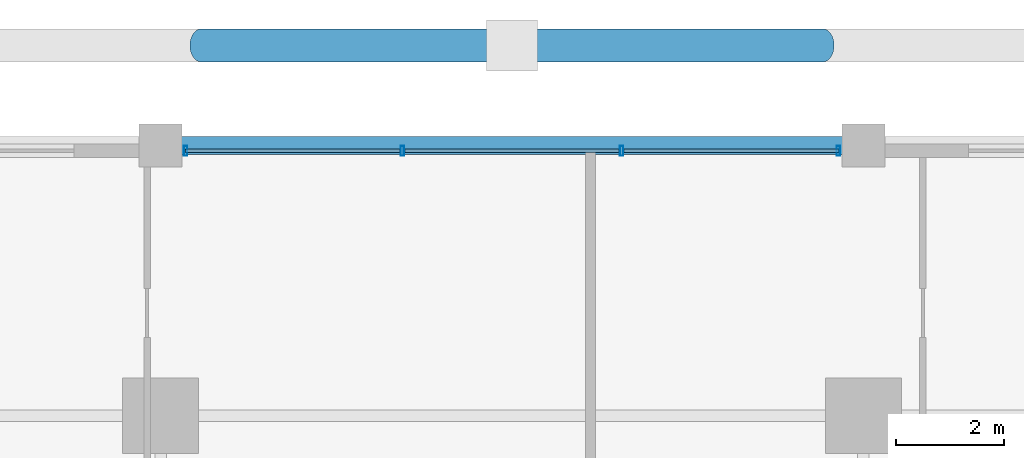
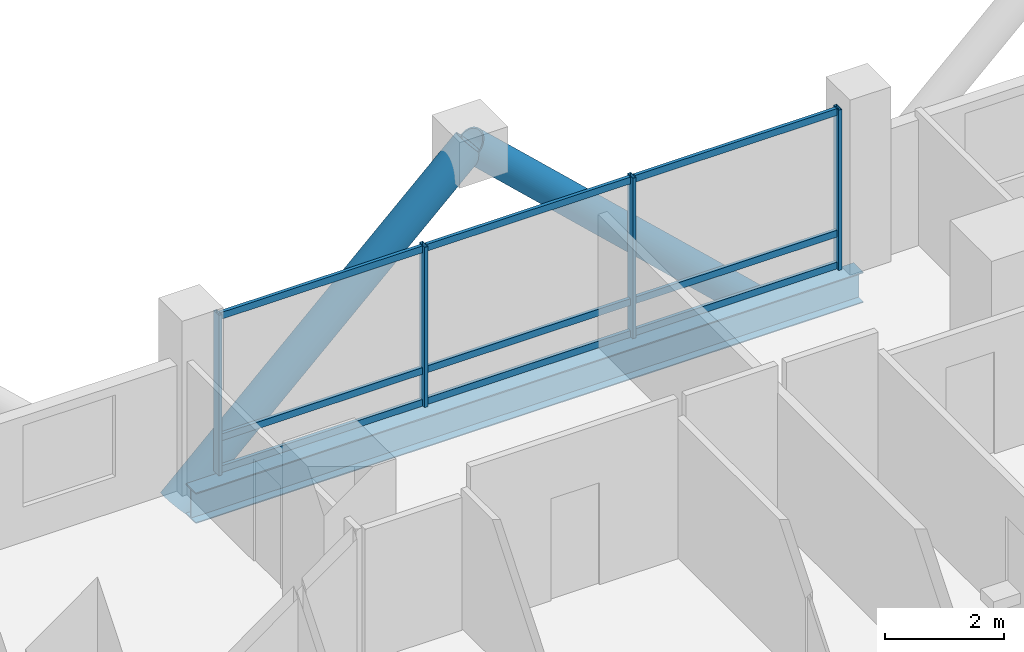
# One storey, part 13 of 24: 15 members, 1 beam, 1 element without a shape of its own.
"""IFC4 building model written with IfcOpenShell, lengths in metres."""

from ifc_helpers import new_model, si_unit, direction, frame, origin, origin_2d, place, context, subcontext, project, spatial, hollow_rectangle, hollow_circle, i_section, extrude, material, layer, layer_set, material_profile, profile_set, type_object, element, aggregate, save


model = new_model("IFC4")

# Units and contexts
model_context = context("Model", 3, precision=1e-05, world=origin(), true_north=direction((0.0, 1.0)))
body_context = subcontext(model_context, "Body", "Model", "MODEL_VIEW")
ifc_project = project(units=[si_unit("LENGTHUNIT", "METRE"), si_unit("AREAUNIT", "SQUARE_METRE"), si_unit("VOLUMEUNIT", "CUBIC_METRE"), si_unit("PLANEANGLEUNIT", "RADIAN"), si_unit("MASSUNIT", "GRAM", prefix="KILO")], contexts=[model_context])

# Site, building, storey
site_placement = place(None, origin())
site = spatial("IfcSite", under=ifc_project, at=site_placement, CompositionType="ELEMENT")
building_placement = place(site_placement, origin())
building = spatial("IfcBuilding", under=site, at=building_placement, Name="Barlavira Tower and Art Museum", CompositionType="ELEMENT")
storey_placement = place(building_placement, frame((0.0, 0.0, 90.0)))
storey = spatial("IfcBuildingStorey", under=building, at=storey_placement, Name="L22", CompositionType="ELEMENT", Elevation=90.0)

# Curtain wall, members
ifc_material_1 = material(Name="Low-iron coastal laminated glass", Category="glass")
ifc_layer = layer(ifc_material_1, 0.179931640625, Name="Low-iron coastal laminated glass")
ifc_layer_set = layer_set([ifc_layer], Name="Low-iron coastal laminated glass")
curtain_wall_type = type_object("IfcCurtainWallType", Name="Pale-Metal Unitised Curtain Wall Zone 1", PredefinedType="NOTDEFINED", material=ifc_layer_set)
curtain_wall_placement = place(storey_placement, origin())
curtain_wall = element("IfcCurtainWall", 1, at=curtain_wall_placement, inside=storey, type_object=curtain_wall_type, Name="L22 Curtain Wall CW1-L22-N-B3", PredefinedType="NOTDEFINED")
ifc_material_2 = material(Name="Pale anodised aluminium", Category="aluminium")
ifc_material_profile_1 = material_profile(ifc_material_2, hollow_rectangle(XDim=0.06494140625, YDim=0.179931640625, WallThickness=0.00390625, at=origin_2d()), Name="ALU-MULL 65x180x4")
ifc_profile_set_1 = profile_set([ifc_material_profile_1], Name="Pale anodised aluminium")
member_type_1 = type_object("IfcMemberType", Name="Curtain Wall Pale-Metal Mullion 65x180", PredefinedType="MULLION", material=ifc_profile_set_1)
member_1_placement = place(storey_placement, frame((6.034912109375, 24.89990234375, 0.0), z_axis=(0.0, 0.0, 1.0), x_axis=(-1.0, 0.0, 0.0)))
member_1 = element("IfcMember", 2, at=member_1_placement, type_object=member_type_1, Name="CW1-L22-N-B3 Mullion 0", PredefinedType="MULLION", context=body_context, shape_type="SweptSolid", body=[
    extrude(hollow_rectangle(XDim=0.06494140625, YDim=0.179931640625, WallThickness=0.00390625, at=origin_2d()), origin(), (0.0, 0.0, 1.0), 3.300048828125),
])
member_2_placement = place(storey_placement, frame((2.026611328125, 24.89990234375, 0.0), z_axis=(0.0, 0.0, 1.0), x_axis=(-1.0, 0.0, 0.0)))
member_2 = element("IfcMember", 3, at=member_2_placement, type_object=member_type_1, Name="CW1-L22-N-B3 Mullion 1", PredefinedType="MULLION", context=body_context, shape_type="SweptSolid", body=[
    extrude(hollow_rectangle(XDim=0.06494140625, YDim=0.179931640625, WallThickness=0.00390625, at=origin_2d()), origin(), (0.0, 0.0, 1.0), 3.300048828125),
])
member_3_placement = place(storey_placement, frame((-2.026611328125, 24.89990234375, 0.0), z_axis=(0.0, 0.0, 1.0), x_axis=(-1.0, 0.0, 0.0)))
member_3 = element("IfcMember", 4, at=member_3_placement, type_object=member_type_1, Name="CW1-L22-N-B3 Mullion 2", PredefinedType="MULLION", context=body_context, shape_type="SweptSolid", body=[
    extrude(hollow_rectangle(XDim=0.06494140625, YDim=0.179931640625, WallThickness=0.00390625, at=origin_2d()), origin(), (0.0, 0.0, 1.0), 3.300048828125),
])
member_4_placement = place(storey_placement, frame((-6.034912109375, 24.89990234375, 0.0), z_axis=(0.0, 0.0, 1.0), x_axis=(-1.0, 0.0, 0.0)))
member_4 = element("IfcMember", 5, at=member_4_placement, type_object=member_type_1, Name="CW1-L22-N-B3 Mullion 3", PredefinedType="MULLION", context=body_context, shape_type="SweptSolid", body=[
    extrude(hollow_rectangle(XDim=0.06494140625, YDim=0.179931640625, WallThickness=0.00390625, at=origin_2d()), origin(), (0.0, 0.0, 1.0), 3.300048828125),
])
ifc_material_profile_2 = material_profile(ifc_material_2, hollow_rectangle(XDim=0.06494140625, YDim=0.139892578125, WallThickness=0.00390625, at=origin_2d()), Name="ALU-TRAN 65x140x4")
ifc_profile_set_2 = profile_set([ifc_material_profile_2], Name="Pale anodised aluminium")
member_type_2 = type_object("IfcMemberType", Name="Curtain Wall Pale-Metal Transom 65x140", PredefinedType="USERDEFINED", material=ifc_profile_set_2)
member_5_placement = place(storey_placement, frame((6.034912109375, 24.89990234375, 0.070068359375), z_axis=(-1.0, 0.0, 0.0), x_axis=(0.0, -1.0, 0.0)))
member_5 = element("IfcMember", 6, at=member_5_placement, type_object=member_type_2, Name="CW1-L22-N-B3 Transom 0.1", ObjectType="TRANSOM", PredefinedType="USERDEFINED", context=body_context, shape_type="SweptSolid", body=[
    extrude(hollow_rectangle(XDim=0.06494140625, YDim=0.139892578125, WallThickness=0.00390625, at=origin_2d()), origin(), (0.0, 0.0, 1.0), 3.963134765625),
])
member_6_placement = place(storey_placement, frame((6.034912109375, 24.89990234375, 0.72607421875), z_axis=(-1.0, 0.0, 0.0), x_axis=(0.0, -1.0, 0.0)))
member_6 = element("IfcMember", 7, at=member_6_placement, type_object=member_type_2, Name="CW1-L22-N-B3 Transom 0.2", ObjectType="TRANSOM", PredefinedType="USERDEFINED", context=body_context, shape_type="SweptSolid", body=[
    extrude(hollow_rectangle(XDim=0.06494140625, YDim=0.139892578125, WallThickness=0.00390625, at=origin_2d()), origin(), (0.0, 0.0, 1.0), 3.963134765625),
])
member_7_placement = place(storey_placement, frame((6.034912109375, 24.89990234375, 3.22998046875), z_axis=(-1.0, 0.0, 0.0), x_axis=(0.0, -1.0, 0.0)))
member_7 = element("IfcMember", 8, at=member_7_placement, type_object=member_type_2, Name="CW1-L22-N-B3 Transom 0.3", ObjectType="TRANSOM", PredefinedType="USERDEFINED", context=body_context, shape_type="SweptSolid", body=[
    extrude(hollow_rectangle(XDim=0.06494140625, YDim=0.139892578125, WallThickness=0.00390625, at=origin_2d()), origin(), (0.0, 0.0, 1.0), 3.963134765625),
])
member_8_placement = place(storey_placement, frame((1.981689453125, 24.89990234375, 0.070068359375), z_axis=(-1.0, 0.0, 0.0), x_axis=(0.0, -1.0, 0.0)))
member_8 = element("IfcMember", 9, at=member_8_placement, type_object=member_type_2, Name="CW1-L22-N-B3 Transom 1.1", ObjectType="TRANSOM", PredefinedType="USERDEFINED", context=body_context, shape_type="SweptSolid", body=[
    extrude(hollow_rectangle(XDim=0.06494140625, YDim=0.139892578125, WallThickness=0.00390625, at=origin_2d()), origin(), (0.0, 0.0, 1.0), 3.96337890625),
])
member_9_placement = place(storey_placement, frame((1.981689453125, 24.89990234375, 0.72607421875), z_axis=(-1.0, 0.0, 0.0), x_axis=(0.0, -1.0, 0.0)))
member_9 = element("IfcMember", 10, at=member_9_placement, type_object=member_type_2, Name="CW1-L22-N-B3 Transom 1.2", ObjectType="TRANSOM", PredefinedType="USERDEFINED", context=body_context, shape_type="SweptSolid", body=[
    extrude(hollow_rectangle(XDim=0.06494140625, YDim=0.139892578125, WallThickness=0.00390625, at=origin_2d()), origin(), (0.0, 0.0, 1.0), 3.96337890625),
])
member_10_placement = place(storey_placement, frame((1.981689453125, 24.89990234375, 3.22998046875), z_axis=(-1.0, 0.0, 0.0), x_axis=(0.0, -1.0, 0.0)))
member_10 = element("IfcMember", 11, at=member_10_placement, type_object=member_type_2, Name="CW1-L22-N-B3 Transom 1.3", ObjectType="TRANSOM", PredefinedType="USERDEFINED", context=body_context, shape_type="SweptSolid", body=[
    extrude(hollow_rectangle(XDim=0.06494140625, YDim=0.139892578125, WallThickness=0.00390625, at=origin_2d()), origin(), (0.0, 0.0, 1.0), 3.96337890625),
])
member_11_placement = place(storey_placement, frame((-2.07177734375, 24.89990234375, 0.070068359375), z_axis=(-1.0, 0.0, 0.0), x_axis=(0.0, -1.0, 0.0)))
member_11 = element("IfcMember", 12, at=member_11_placement, type_object=member_type_2, Name="CW1-L22-N-B3 Transom 2.1", ObjectType="TRANSOM", PredefinedType="USERDEFINED", context=body_context, shape_type="SweptSolid", body=[
    extrude(hollow_rectangle(XDim=0.06494140625, YDim=0.139892578125, WallThickness=0.00390625, at=origin_2d()), origin(), (0.0, 0.0, 1.0), 3.963134765625),
])
member_12_placement = place(storey_placement, frame((-2.07177734375, 24.89990234375, 0.72607421875), z_axis=(-1.0, 0.0, 0.0), x_axis=(0.0, -1.0, 0.0)))
member_12 = element("IfcMember", 13, at=member_12_placement, type_object=member_type_2, Name="CW1-L22-N-B3 Transom 2.2", ObjectType="TRANSOM", PredefinedType="USERDEFINED", context=body_context, shape_type="SweptSolid", body=[
    extrude(hollow_rectangle(XDim=0.06494140625, YDim=0.139892578125, WallThickness=0.00390625, at=origin_2d()), origin(), (0.0, 0.0, 1.0), 3.963134765625),
])
member_13_placement = place(storey_placement, frame((-2.07177734375, 24.89990234375, 3.22998046875), z_axis=(-1.0, 0.0, 0.0), x_axis=(0.0, -1.0, 0.0)))
member_13 = element("IfcMember", 14, at=member_13_placement, type_object=member_type_2, Name="CW1-L22-N-B3 Transom 2.3", ObjectType="TRANSOM", PredefinedType="USERDEFINED", context=body_context, shape_type="SweptSolid", body=[
    extrude(hollow_rectangle(XDim=0.06494140625, YDim=0.139892578125, WallThickness=0.00390625, at=origin_2d()), origin(), (0.0, 0.0, 1.0), 3.963134765625),
])
aggregate(curtain_wall, [member_1, member_2, member_3, member_4, member_5, member_6, member_7, member_8, member_9, member_10, member_11, member_12, member_13])

# Members
ifc_material_3 = material(Name="Steel S355", Category="steel")
ifc_material_profile_3 = material_profile(ifc_material_3, hollow_circle(Radius=0.304931640625, WallThickness=0.028076171875, at=origin_2d()), Name="CHS 610.0x28.0")
ifc_profile_set_3 = profile_set([ifc_material_profile_3], Name="Steel S355")
member_type_3 = type_object("IfcMemberType", Name="Pale-Metal Exoskeleton Diagrid Tube CHS 610x28 Steel S355", PredefinedType="BRACE", material=ifc_profile_set_3)
for number, where, z_axis, x_axis, name in (
    (15, (-5.75, 26.85009765625, -1.919921875), (0.728950095515, 0.0, 0.684566839869), (0.0, 1.0, 0.0), "L22 Exoskeleton Diagrid Tube N"),
    (16, (5.75, 26.85009765625, -1.919921875), (-0.728950095515, 0.0, 0.684566839869), (0.0, -1.0, 0.0), "L22 Exoskeleton Diagrid Tube N"),
):
    element("IfcMember", number, at=place(storey_placement, frame(where, z_axis=z_axis, x_axis=x_axis)), inside=storey, type_object=member_type_3, Name=name, PredefinedType="BRACE", context=body_context, shape_type="SweptSolid", body=[
        extrude(hollow_circle(Radius=0.304931640625, WallThickness=0.028076171875, at=origin_2d()), origin(), (0.0, 0.0, 1.0), 7.887939453125),
    ])

# Beam
ifc_material_profile_4 = material_profile(ifc_material_3, i_section(OverallWidth=0.327880859375, OverallDepth=0.62890625, WebThickness=0.013916015625, FlangeThickness=0.021484375, at=origin_2d()), Name="W610x174.0")
ifc_profile_set_4 = profile_set([ifc_material_profile_4], Name="Steel S355")
beam_type = type_object("IfcBeamType", Name="Perimeter Spandrel Edge Beam W610x174 Steel S355", PredefinedType="SPANDREL", material=ifc_profile_set_4)
beam_placement = place(storey_placement, frame((-6.5, 25.0, -0.534423828125), z_axis=(1.0, 0.0, 0.0), x_axis=(0.0, 1.0, 0.0)))
element("IfcBeam", 17, at=beam_placement, inside=storey, type_object=beam_type, Name="L22 Spandrel 10", PredefinedType="SPANDREL", context=body_context, shape_type="SweptSolid", body=[
    extrude(i_section(OverallWidth=0.327880859375, OverallDepth=0.62890625, WebThickness=0.013916015625, FlangeThickness=0.021484375, at=origin_2d()), origin(), (0.0, 0.0, 1.0), 13.0),
])

save(model, "model.ifc")
